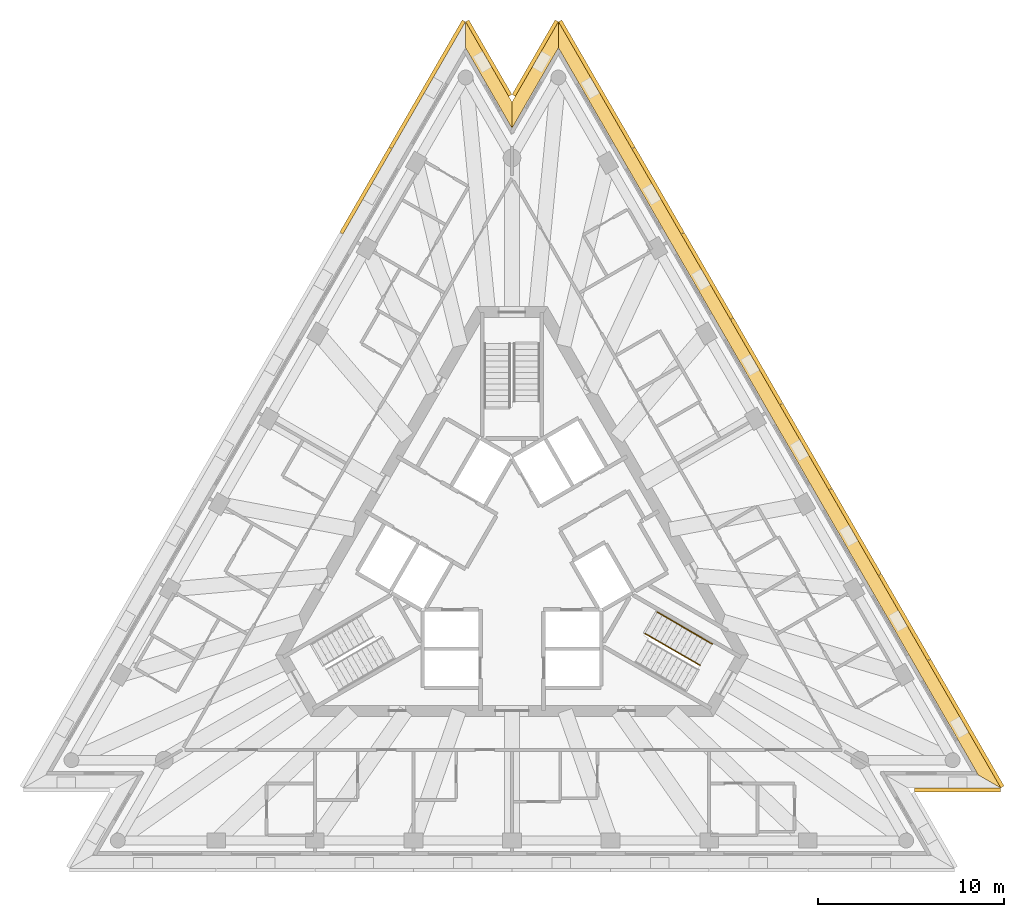
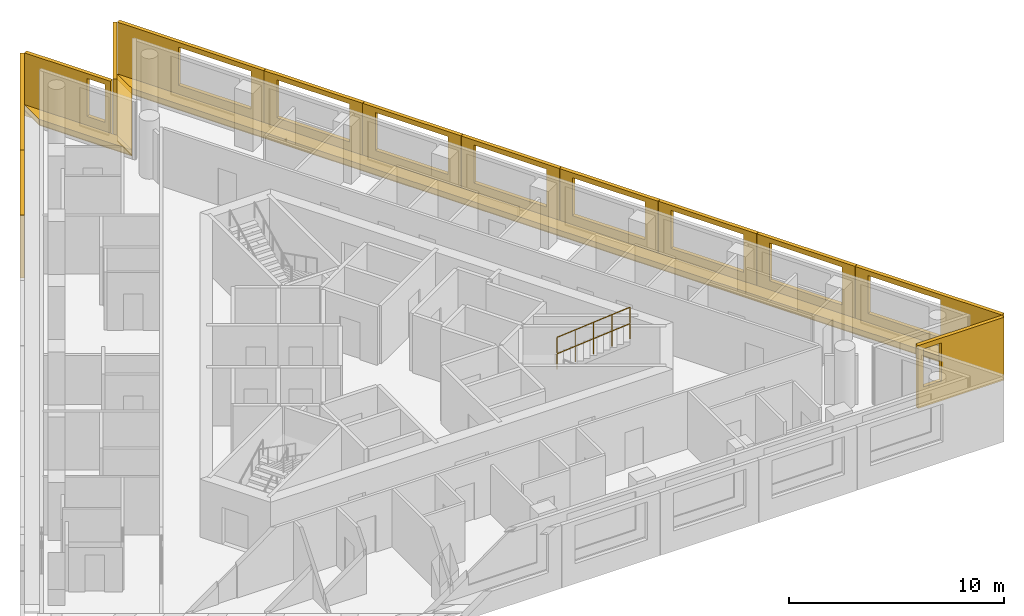
# One storey, part 11 of 11: 16 shading devices, 3 coverings, 2 railings, 1 element without a shape of its own.
"""IFC4 building model written with IfcOpenShell, lengths in metres."""

from ifc_helpers import new_model, si_unit, direction, frame, origin, origin_2d, place, context, subcontext, project, spatial, polyline, circle, outline, extrude, material, layer, layer_set, layer_usage, type_object, element, aggregate, save


model = new_model("IFC4")

# Units and contexts
model_context = context("Model", 3, precision=1e-05, world=origin(), true_north=direction((0.0, 1.0)))
body_context = subcontext(model_context, "Body", "Model", "MODEL_VIEW")
ifc_project = project(units=[si_unit("LENGTHUNIT", "METRE"), si_unit("AREAUNIT", "SQUARE_METRE"), si_unit("VOLUMEUNIT", "CUBIC_METRE"), si_unit("PLANEANGLEUNIT", "RADIAN"), si_unit("MASSUNIT", "GRAM", prefix="KILO")], contexts=[model_context])

# Site, building, storey
site_placement = place(None, origin())
site = spatial("IfcSite", under=ifc_project, at=site_placement, CompositionType="ELEMENT")
building_placement = place(site_placement, origin())
building = spatial("IfcBuilding", under=site, at=building_placement, Name="Triada Interchange Tower", CompositionType="ELEMENT")
storey_placement = place(building_placement, frame((0.0, 0.0, 307.89990234375)))
storey = spatial("IfcBuildingStorey", under=building, at=storey_placement, Name="L73", CompositionType="ELEMENT", Elevation=307.89990234375)

# Coverings
ifc_material_1 = material(Name="Mineral fire-stop board")
ifc_layer_1 = layer(ifc_material_1, 0.0400390625, Name="Mineral fire-stop board")
ifc_material_2 = material(Name="Intumescent sealant")
ifc_layer_2 = layer(ifc_material_2, 0.010009765625, Name="Intumescent seal")
ifc_layer_set_1 = layer_set([ifc_layer_1, ifc_layer_2], Name="Cavity fire stop")
ifc_layer_usage = layer_usage(ifc_layer_set_1, "AXIS3", "POSITIVE", 0.0)
covering_type = type_object("IfcCoveringType", Name="Cavity fire stop", PredefinedType="INSULATION", material=ifc_layer_set_1)
covering_1_placement = place(storey_placement, origin())
element("IfcCovering", 1, at=covering_1_placement, inside=storey, type_object=covering_type, material=ifc_layer_usage, Name="Cavity fire stop L73 NE", PredefinedType="INSULATION", context=body_context, shape_type="SweptSolid", body=[
    extrude(outline(polyline([(25.087890625, -11.60009765625), (26.300048828125, -12.300048828125), (2.498046875, 28.927001953125), (2.498046875, 27.527099609375), (25.087890625, -11.60009765625)])), origin(), (0.0, 0.0, 1.0), 0.050048828125),
])
covering_2_placement = place(storey_placement, origin())
element("IfcCovering", 2, at=covering_2_placement, inside=storey, type_object=covering_type, material=ifc_layer_usage, Name="Cavity fire stop L73 N-1", PredefinedType="INSULATION", context=body_context, shape_type="SweptSolid", body=[
    extrude(outline(polyline([(2.498046875, 27.527099609375), (2.498046875, 28.927001953125), (0.0, 24.59912109375), (0.0, 23.198974609375), (2.498046875, 27.527099609375)])), origin(), (0.0, 0.0, 1.0), 0.050048828125),
])
covering_3_placement = place(storey_placement, origin())
element("IfcCovering", 3, at=covering_3_placement, inside=storey, type_object=covering_type, material=ifc_layer_usage, Name="Cavity fire stop L73 N-2", PredefinedType="INSULATION", context=body_context, shape_type="SweptSolid", body=[
    extrude(outline(polyline([(0.0, 23.198974609375), (0.0, 24.59912109375), (-2.498046875, 28.927001953125), (-2.498046875, 27.527099609375), (0.0, 23.198974609375)])), origin(), (0.0, 0.0, 1.0), 0.050048828125),
])

# Shading devices
ifc_material_3 = material(Name="Aluminium louvre", Category="aluminium")
shading_device_type_1 = type_object("IfcShadingDeviceType", Name="Cavity louvre grille", PredefinedType="JALOUSIE", material=ifc_material_3)
shading_device_1_placement = place(storey_placement, frame((0.0, 0.0, 0.050048828125)))
element("IfcShadingDevice", 4, at=shading_device_1_placement, inside=storey, type_object=shading_device_type_1, Name="Cavity louvre grille L73 NE", PredefinedType="JALOUSIE", context=body_context, shape_type="SweptSolid", body=[
    extrude(outline(polyline([(25.087890625, -11.60009765625), (26.300048828125, -12.300048828125), (2.498046875, 28.927001953125), (2.498046875, 27.527099609375), (25.087890625, -11.60009765625)])), origin(), (0.0, 0.0, 1.0), 0.300048828125),
])
shading_device_2_placement = place(storey_placement, frame((0.0, 0.0, 0.050048828125)))
element("IfcShadingDevice", 5, at=shading_device_2_placement, inside=storey, type_object=shading_device_type_1, Name="Cavity louvre grille L73 N-1", PredefinedType="JALOUSIE", context=body_context, shape_type="SweptSolid", body=[
    extrude(outline(polyline([(2.498046875, 27.527099609375), (2.498046875, 28.927001953125), (0.0, 24.59912109375), (0.0, 23.198974609375), (2.498046875, 27.527099609375)])), origin(), (0.0, 0.0, 1.0), 0.300048828125),
])
shading_device_3_placement = place(storey_placement, frame((0.0, 0.0, 0.050048828125)))
element("IfcShadingDevice", 6, at=shading_device_3_placement, inside=storey, type_object=shading_device_type_1, Name="Cavity louvre grille L73 N-2", PredefinedType="JALOUSIE", context=body_context, shape_type="SweptSolid", body=[
    extrude(outline(polyline([(0.0, 23.198974609375), (0.0, 24.59912109375), (-2.498046875, 28.927001953125), (-2.498046875, 27.527099609375), (0.0, 23.198974609375)])), origin(), (0.0, 0.0, 1.0), 0.300048828125),
])
ifc_material_4 = material(Name="Concrete C50/60 precast", Category="concrete")
ifc_layer_3 = layer(ifc_material_4, 0.02001953125, Name="Exposed aggregate face")
ifc_layer_4 = layer(ifc_material_4, 0.179931640625, Name="Precast concrete screen")
ifc_layer_set_2 = layer_set([ifc_layer_3, ifc_layer_4], Name="Outer skin screen panel 3580")
shading_device_type_2 = type_object("IfcShadingDeviceType", Name="Outer skin screen panel 3580", PredefinedType="SHUTTER", material=ifc_layer_set_2)
shading_device_4_placement = place(storey_placement, frame((-2.5029296875, 28.91796875, -0.289794921875), z_axis=(0.0, 0.0, 1.0), x_axis=(-0.500088123115, -0.865974519902, 0.0)))
element("IfcShadingDevice", 7, at=shading_device_4_placement, inside=storey, type_object=shading_device_type_2, Name="Outer skin screen panel L73 01", PredefinedType="SHUTTER", context=body_context, shape_type="SweptSolid", body=[
    extrude(outline(polyline([(0.0, 0.0), (7.87890625, 0.0), (7.87890625, 3.579833984375), (0.0, 3.579833984375), (0.0, 0.0)]), holes=[polyline([(3.28857421875, 1.139892578125), (3.28857421875, 3.300048828125), (7.188720703125, 3.300048828125), (7.188720703125, 1.139892578125), (3.28857421875, 1.139892578125)])]), frame((0.0, 0.0, 0.0), z_axis=(0.0, -1.0, 0.0), x_axis=(1.0, 0.0, 0.0)), (0.0, 0.0, 1.0), 0.199951171875),
])
shading_device_5_placement = place(storey_placement, frame((-6.452880859375, 22.076904296875, -0.289794921875), z_axis=(0.0, 0.0, 1.0), x_axis=(-0.499987936291, -0.866032368658, 0.0)))
element("IfcShadingDevice", 8, at=shading_device_5_placement, inside=storey, type_object=shading_device_type_2, Name="Outer skin screen panel L73 02", PredefinedType="SHUTTER", context=body_context, shape_type="SweptSolid", body=[
    extrude(outline(polyline([(0.0, 0.0), (5.280517578125, 0.0), (5.280517578125, 3.579833984375), (0.0, 3.579833984375), (0.0, 0.0)]), holes=[polyline([(0.6904296875, 1.139892578125), (0.6904296875, 3.300048828125), (4.59033203125, 3.300048828125), (4.59033203125, 1.139892578125), (0.6904296875, 1.139892578125)])]), frame((0.0, 0.0, 0.0), z_axis=(0.0, -1.0, 0.0), x_axis=(1.0, 0.0, 0.0)), (0.0, 0.0, 1.0), 0.199951171875),
])
shading_device_6_placement = place(storey_placement, frame((21.659912109375, -12.300048828125, -0.289794921875), z_axis=(0.0, 0.0, 1.0), x_axis=(1.0, 0.0, 0.0)))
element("IfcShadingDevice", 9, at=shading_device_6_placement, inside=storey, type_object=shading_device_type_2, Name="Outer skin screen panel L73 20", PredefinedType="SHUTTER", context=body_context, shape_type="SweptSolid", body=[
    extrude(outline(polyline([(0.0, 0.0), (4.630126953125, 0.0), (4.630126953125, 3.579833984375), (0.0, 3.579833984375), (0.0, 0.0)]), holes=[polyline([(0.300048828125, 1.139892578125), (0.300048828125, 3.300048828125), (1.258056640625, 3.300048828125), (1.258056640625, 1.139892578125), (0.300048828125, 1.139892578125)])]), frame((0.0, 0.0, 0.0), z_axis=(0.0, -1.0, 0.0), x_axis=(1.0, 0.0, 0.0)), (0.0, 0.0, 1.0), 0.199951171875),
])
shading_device_7_placement = place(storey_placement, frame((26.294921875, -12.291015625, -0.289794921875), z_axis=(0.0, 0.0, 1.0), x_axis=(-0.499971924588, 0.866041612524, 0.0)))
element("IfcShadingDevice", 10, at=shading_device_7_placement, inside=storey, type_object=shading_device_type_2, Name="Outer skin screen panel L73 21", PredefinedType="SHUTTER", context=body_context, shape_type="SweptSolid", body=[
    extrude(outline(polyline([(0.0, 0.0), (7.87841796875, 0.0), (7.87841796875, 3.579833984375), (0.0, 3.579833984375), (0.0, 0.0)]), holes=[polyline([(3.288330078125, 1.139892578125), (3.288330078125, 3.300048828125), (7.188232421875, 3.300048828125), (7.188232421875, 1.139892578125), (3.288330078125, 1.139892578125)])]), frame((0.0, 0.0, 0.0), z_axis=(0.0, -1.0, 0.0), x_axis=(1.0, 0.0, 0.0)), (0.0, 0.0, 1.0), 0.199951171875),
])
shading_device_8_placement = place(storey_placement, frame((22.345947265625, -5.449951171875, -0.289794921875), z_axis=(0.0, 0.0, 1.0), x_axis=(-0.500091956443, 0.865972306197, 0.0)))
element("IfcShadingDevice", 11, at=shading_device_8_placement, inside=storey, type_object=shading_device_type_2, Name="Outer skin screen panel L73 22", PredefinedType="SHUTTER", context=body_context, shape_type="SweptSolid", body=[
    extrude(outline(polyline([(0.0, 0.0), (5.28076171875, 0.0), (5.28076171875, 3.579833984375), (0.0, 3.579833984375), (0.0, 0.0)]), holes=[polyline([(0.690185546875, 1.139892578125), (0.690185546875, 3.300048828125), (4.590087890625, 3.300048828125), (4.590087890625, 1.139892578125), (0.690185546875, 1.139892578125)])]), frame((0.0, 0.0, 0.0), z_axis=(0.0, -1.0, 0.0), x_axis=(1.0, 0.0, 0.0)), (0.0, 0.0, 1.0), 0.199951171875),
])
shading_device_9_placement = place(storey_placement, frame((19.695068359375, -0.860107421875, -0.289794921875), z_axis=(0.0, 0.0, 1.0), x_axis=(-0.499887852359, 0.866090142574, 0.0)))
element("IfcShadingDevice", 12, at=shading_device_9_placement, inside=storey, type_object=shading_device_type_2, Name="Outer skin screen panel L73 23", PredefinedType="SHUTTER", context=body_context, shape_type="SweptSolid", body=[
    extrude(outline(polyline([(0.0, 0.0), (5.281494140625, 0.0), (5.281494140625, 3.579833984375), (0.0, 3.579833984375), (0.0, 0.0)]), holes=[polyline([(0.690185546875, 1.139892578125), (0.690185546875, 3.300048828125), (4.590087890625, 3.300048828125), (4.590087890625, 1.139892578125), (0.690185546875, 1.139892578125)])]), frame((0.0, 0.0, 0.0), z_axis=(0.0, -1.0, 0.0), x_axis=(1.0, 0.0, 0.0)), (0.0, 0.0, 1.0), 0.199951171875),
])
shading_device_10_placement = place(storey_placement, frame((17.044921875, 3.73095703125, -0.289794921875), z_axis=(0.0, 0.0, 1.0), x_axis=(-0.500011881073, 0.866018544135, 0.0)))
element("IfcShadingDevice", 13, at=shading_device_10_placement, inside=storey, type_object=shading_device_type_2, Name="Outer skin screen panel L73 24", PredefinedType="SHUTTER", context=body_context, shape_type="SweptSolid", body=[
    extrude(outline(polyline([(0.0, 0.0), (5.281494140625, 0.0), (5.281494140625, 3.579833984375), (0.0, 3.579833984375), (0.0, 0.0)]), holes=[polyline([(0.68994140625, 1.139892578125), (0.68994140625, 3.300048828125), (4.590087890625, 3.300048828125), (4.590087890625, 1.139892578125), (0.68994140625, 1.139892578125)])]), frame((0.0, 0.0, 0.0), z_axis=(0.0, -1.0, 0.0), x_axis=(1.0, 0.0, 0.0)), (0.0, 0.0, 1.0), 0.199951171875),
])
shading_device_11_placement = place(storey_placement, frame((14.39404296875, 8.322021484375, -0.289794921875), z_axis=(0.0, 0.0, 1.0), x_axis=(-0.499907866474, 0.866078590566, 0.0)))
element("IfcShadingDevice", 14, at=shading_device_11_placement, inside=storey, type_object=shading_device_type_2, Name="Outer skin screen panel L73 25", PredefinedType="SHUTTER", context=body_context, shape_type="SweptSolid", body=[
    extrude(outline(polyline([(0.0, 0.0), (5.28125, 0.0), (5.28125, 3.579833984375), (0.0, 3.579833984375), (0.0, 0.0)]), holes=[polyline([(0.69091796875, 1.139892578125), (0.69091796875, 3.300048828125), (4.591064453125, 3.300048828125), (4.591064453125, 1.139892578125), (0.69091796875, 1.139892578125)])]), frame((0.0, 0.0, 0.0), z_axis=(0.0, -1.0, 0.0), x_axis=(1.0, 0.0, 0.0)), (0.0, 0.0, 1.0), 0.199951171875),
])
shading_device_12_placement = place(storey_placement, frame((11.743896484375, 12.9130859375, -0.289794921875), z_axis=(0.0, 0.0, 1.0), x_axis=(-0.500011881073, 0.866018544135, 0.0)))
element("IfcShadingDevice", 15, at=shading_device_12_placement, inside=storey, type_object=shading_device_type_2, Name="Outer skin screen panel L73 26", PredefinedType="SHUTTER", context=body_context, shape_type="SweptSolid", body=[
    extrude(outline(polyline([(0.0, 0.0), (5.281494140625, 0.0), (5.281494140625, 3.579833984375), (0.0, 3.579833984375), (0.0, 0.0)]), holes=[polyline([(0.69091796875, 1.139892578125), (0.69091796875, 3.300048828125), (4.5908203125, 3.300048828125), (4.5908203125, 1.139892578125), (0.69091796875, 1.139892578125)])]), frame((0.0, 0.0, 0.0), z_axis=(0.0, -1.0, 0.0), x_axis=(1.0, 0.0, 0.0)), (0.0, 0.0, 1.0), 0.199951171875),
])
shading_device_13_placement = place(storey_placement, frame((9.093017578125, 17.50390625, -0.289794921875), z_axis=(0.0, 0.0, 1.0), x_axis=(-0.499987936291, 0.866032368658, 0.0)))
element("IfcShadingDevice", 16, at=shading_device_13_placement, inside=storey, type_object=shading_device_type_2, Name="Outer skin screen panel L73 27", PredefinedType="SHUTTER", context=body_context, shape_type="SweptSolid", body=[
    extrude(outline(polyline([(0.0, 0.0), (5.280517578125, 0.0), (5.280517578125, 3.579833984375), (0.0, 3.579833984375), (0.0, 0.0)]), holes=[polyline([(0.69091796875, 1.139892578125), (0.69091796875, 3.300048828125), (4.5908203125, 3.300048828125), (4.5908203125, 1.139892578125), (0.69091796875, 1.139892578125)])]), frame((0.0, 0.0, 0.0), z_axis=(0.0, -1.0, 0.0), x_axis=(1.0, 0.0, 0.0)), (0.0, 0.0, 1.0), 0.199951171875),
])
shading_device_14_placement = place(storey_placement, frame((6.443115234375, 22.094970703125, -0.289794921875), z_axis=(0.0, 0.0, 1.0), x_axis=(-0.500088123115, 0.865974519902, 0.0)))
element("IfcShadingDevice", 17, at=shading_device_14_placement, inside=storey, type_object=shading_device_type_2, Name="Outer skin screen panel L73 28", PredefinedType="SHUTTER", context=body_context, shape_type="SweptSolid", body=[
    extrude(outline(polyline([(0.0, 0.0), (7.87890625, 0.0), (7.87890625, 3.579833984375), (0.0, 3.579833984375), (0.0, 0.0)]), holes=[polyline([(0.69091796875, 1.139892578125), (0.69091796875, 3.300048828125), (4.5908203125, 3.300048828125), (4.5908203125, 1.139892578125), (0.69091796875, 1.139892578125)])]), frame((0.0, 0.0, 0.0), z_axis=(0.0, -1.0, 0.0), x_axis=(1.0, 0.0, 0.0)), (0.0, 0.0, 1.0), 0.199951171875),
])
shading_device_15_placement = place(storey_placement, frame((2.492919921875, 28.91796875, -0.289794921875), z_axis=(0.0, 0.0, 1.0), x_axis=(-0.499961317165, -0.866047736178, 0.0)))
element("IfcShadingDevice", 18, at=shading_device_15_placement, inside=storey, type_object=shading_device_type_2, Name="Outer skin screen panel L73 29", PredefinedType="SHUTTER", context=body_context, shape_type="SweptSolid", body=[
    extrude(outline(polyline([(0.0, 0.0), (4.630126953125, 0.0), (4.630126953125, 3.579833984375), (0.0, 3.579833984375), (0.0, 0.0)]), holes=[polyline([(3.17578125, 1.139892578125), (3.17578125, 3.300048828125), (4.330810546875, 3.300048828125), (4.330810546875, 1.139892578125), (3.17578125, 1.139892578125)])]), frame((0.0, 0.0, 0.0), z_axis=(0.0, -1.0, 0.0), x_axis=(1.0, 0.0, 0.0)), (0.0, 0.0, 1.0), 0.199951171875),
])
shading_device_16_placement = place(storey_placement, frame((-0.177978515625, 24.907958984375, -0.289794921875), z_axis=(0.0, 0.0, 1.0), x_axis=(-0.499961317165, 0.866047736178, 0.0)))
element("IfcShadingDevice", 19, at=shading_device_16_placement, inside=storey, type_object=shading_device_type_2, Name="Outer skin screen panel L73 30", PredefinedType="SHUTTER", context=body_context, shape_type="SweptSolid", body=[
    extrude(outline(polyline([(0.0, 0.0), (4.630126953125, 0.0), (4.630126953125, 3.579833984375), (0.0, 3.579833984375), (0.0, 0.0)]), holes=[polyline([(0.300048828125, 1.139892578125), (0.300048828125, 3.300048828125), (1.2578125, 3.300048828125), (1.2578125, 1.139892578125), (0.300048828125, 1.139892578125)])]), frame((0.0, 0.0, 0.0), z_axis=(0.0, -1.0, 0.0), x_axis=(1.0, 0.0, 0.0)), (0.0, 0.0, 1.0), 0.199951171875),
])

# Stair, railings
ifc_material_5 = material(Name="Concrete C35/45", Category="concrete")
stair_type = type_object("IfcStairType", Name="HALF TURN STAIR 1400", PredefinedType="HALF_TURN_STAIR", material=ifc_material_5)
stair_placement = place(storey_placement, origin())
stair = element("IfcStair", 20, at=stair_placement, inside=storey, type_object=stair_type, Name="Exit stair S71-3", PredefinedType="HALF_TURN_STAIR")
ifc_material_6 = material(Name="Stainless steel 1.4301", Category="steel")
railing_type = type_object("IfcRailingType", Name="STAIR HANDRAIL 900", PredefinedType="HANDRAIL", material=ifc_material_6)
railing_1_placement = place(storey_placement, frame((7.818115234375, -2.839111328125, 1.87841796875)))
railing_1 = element("IfcRailing", 21, at=railing_1_placement, type_object=railing_type, Name="Handrail S71-3 2W", PredefinedType="HANDRAIL", context=body_context, shape_type="SweptSolid", body=[
    extrude(circle(Radius=0.02392578125, at=origin_2d()), frame((0.0, 0.0, 0.8759765625), z_axis=(0.773065188623, -0.4463261027, 0.450736313367), x_axis=(0.499997234054, 0.866027000698, 0.0)), (0.0, 0.0, 1.0), 3.81982421875),
    extrude(circle(Radius=0.02099609375, at=origin_2d()), origin(), (0.0, 0.0, 1.0), 0.851806640625),
    extrude(circle(Radius=0.02099609375, at=origin_2d()), frame((0.73828125, -0.42626953125, 0.430419921875)), (0.0, 0.0, 1.0), 0.851806640625),
    extrude(circle(Radius=0.02099609375, at=origin_2d()), frame((1.4765625, -0.8525390625, 0.86083984375)), (0.0, 0.0, 1.0), 0.851806640625),
    extrude(circle(Radius=0.02099609375, at=origin_2d()), frame((2.214599609375, -1.278564453125, 1.291259765625)), (0.0, 0.0, 1.0), 0.851806640625),
    extrude(circle(Radius=0.02099609375, at=origin_2d()), frame((2.952880859375, -1.704833984375, 1.7216796875)), (0.0, 0.0, 1.0), 0.851806640625),
])
railing_2_placement = place(storey_placement, frame((7.153076171875, -3.990966796875, 1.87841796875)))
railing_2 = element("IfcRailing", 22, at=railing_2_placement, type_object=railing_type, Name="Handrail S71-3 2C", PredefinedType="HANDRAIL", context=body_context, shape_type="SweptSolid", body=[
    extrude(circle(Radius=0.02392578125, at=origin_2d()), frame((0.0, 0.0, 0.8759765625), z_axis=(0.773043134431, -0.446377284073, 0.450723454651), x_axis=(0.500050932918, 0.865995995653, 0.0)), (0.0, 0.0, 1.0), 3.81982421875),
    extrude(circle(Radius=0.02099609375, at=origin_2d()), origin(), (0.0, 0.0, 1.0), 0.851806640625),
    extrude(circle(Radius=0.02099609375, at=origin_2d()), frame((0.73828125, -0.42626953125, 0.430419921875)), (0.0, 0.0, 1.0), 0.851806640625),
    extrude(circle(Radius=0.02099609375, at=origin_2d()), frame((1.4765625, -0.8525390625, 0.86083984375)), (0.0, 0.0, 1.0), 0.851806640625),
    extrude(circle(Radius=0.02099609375, at=origin_2d()), frame((2.214599609375, -1.27880859375, 1.291259765625)), (0.0, 0.0, 1.0), 0.851806640625),
    extrude(circle(Radius=0.02099609375, at=origin_2d()), frame((2.952880859375, -1.705078125, 1.7216796875)), (0.0, 0.0, 1.0), 0.851806640625),
])
aggregate(stair, [railing_1, railing_2])

save(model, "model.ifc")
